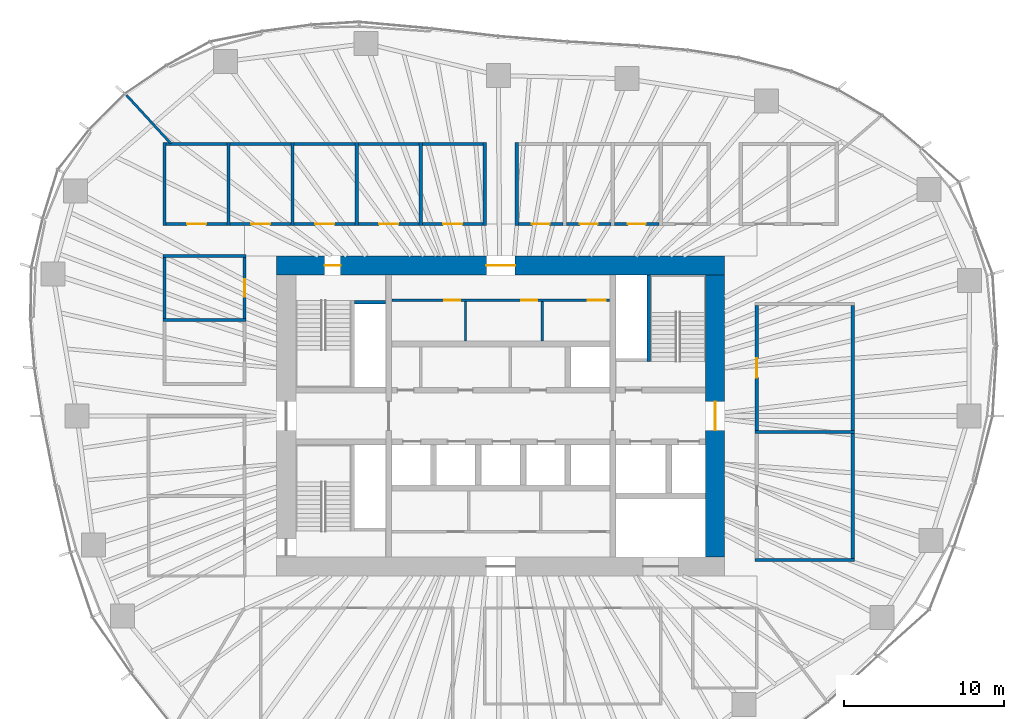
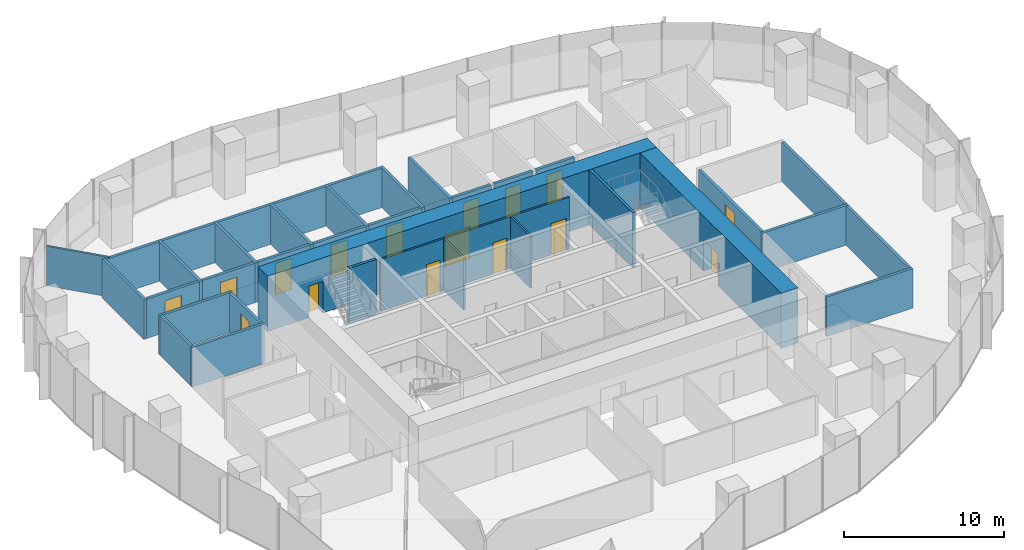
# One storey, part 10 of 18: 37 walls, 16 doors, 16 openings.
"""IFC4 building model written with IfcOpenShell, lengths in metres."""

from ifc_helpers import new_model, si_unit, direction, frame, frame_2d, origin, place, context, subcontext, project, spatial, rectangle, extrude, material, layer, layer_set, type_object, element, fill, save


model = new_model("IFC4")

# Units and contexts
model_context = context("Model", 3, precision=1e-05, world=origin(), true_north=direction((0.0, 1.0)))
body_context = subcontext(model_context, "Body", "Model", "MODEL_VIEW")
ifc_project = project(units=[si_unit("LENGTHUNIT", "METRE"), si_unit("AREAUNIT", "SQUARE_METRE"), si_unit("VOLUMEUNIT", "CUBIC_METRE"), si_unit("PLANEANGLEUNIT", "RADIAN"), si_unit("MASSUNIT", "GRAM", prefix="KILO")], contexts=[model_context])

# Site, building, storey
site_placement = place(None, origin())
site = spatial("IfcSite", under=ifc_project, at=site_placement, CompositionType="ELEMENT")
building_placement = place(site_placement, origin())
building = spatial("IfcBuilding", under=site, at=building_placement, Name="Ghaith Harvest Tower", CompositionType="ELEMENT")
storey_placement = place(building_placement, frame((0.0, 0.0, 138.60009765625)))
storey = spatial("IfcBuildingStorey", under=building, at=storey_placement, Name="L29", CompositionType="ELEMENT", Elevation=138.60009765625)

# Walls
ifc_material_1 = material(Name="Twin-stud gypsum board, acoustic", Category="gypsum")
ifc_layer_1 = layer(ifc_material_1, 0.199951171875)
ifc_layer_set_1 = layer_set([ifc_layer_1], Name="ACOUSTIC PARTITION 200")
wall_type_1 = type_object("IfcWallType", Name="ACOUSTIC PARTITION 200", PredefinedType="PARTITIONING", material=ifc_layer_set_1)
for number, where, z_axis, x_axis, name in (
    (1, (-21.0, 11.89990234375, 0.0), (0.0, 0.0, 1.0), (0.0, 1.0, 0.0), "Partition L29 row N3 cross wall 1"),
    (2, (-17.0, 11.89990234375, 0.0), (0.0, 0.0, 1.0), (0.0, 1.0, 0.0), "Partition L29 row N3 cross wall 2"),
    (3, (-13.0, 11.89990234375, 0.0), (0.0, 0.0, 1.0), (0.0, 1.0, 0.0), "Partition L29 row N3 cross wall 3"),
    (4, (-9.0, 11.89990234375, 0.0), (0.0, 0.0, 1.0), (0.0, 1.0, 0.0), "Partition L29 row N3 cross wall 4"),
    (5, (-5.0, 11.89990234375, 0.0), (0.0, 0.0, 1.0), (0.0, 1.0, 0.0), "Partition L29 row N3 cross wall 5"),
    (6, (-1.0, 11.89990234375, 0.0), (0.0, 0.0, 1.0), (0.0, 1.0, 0.0), "Partition L29 row N3 cross wall 6"),
):
    element("IfcWall", number, at=place(storey_placement, frame(where, z_axis=z_axis, x_axis=x_axis)), inside=storey, type_object=wall_type_1, Name=name, PredefinedType="PARTITIONING", context=body_context, shape_type="SweptSolid", body=[
        extrude(rectangle(XDim=5.2001953125, YDim=0.199951171875, at=frame_2d((2.60009765625, 0.0))), origin(), (0.0, 0.0, 1.0), 3.0),
    ])

# Wall, opening, door
wall_1_placement = place(storey_placement, frame((-20.89990234375, 12.0, 0.0), z_axis=(0.0, 0.0, 1.0), x_axis=(1.0, 0.0, 0.0)))
wall_1 = element("IfcWall", 7, at=wall_1_placement, inside=storey, type_object=wall_type_1, Name="Partition L29-04", PredefinedType="PARTITIONING", context=body_context, shape_type="SweptSolid", body=[
    extrude(rectangle(XDim=3.7998046875, YDim=0.199951171875, at=frame_2d((1.89990234375, 0.0))), origin(), (0.0, 0.0, 1.0), 3.0),
])
opening_1_placement = place(wall_1_placement, frame((1.300048828125, 0.0, 0.0)))
opening_1 = element("IfcOpeningElement", 8, at=opening_1_placement, cuts=wall_1, Name="Opening 29-029", PredefinedType="OPENING", context=body_context, shape_type="SweptSolid", body=[
    extrude(rectangle(XDim=1.199951171875, YDim=2.39990234375, at=frame_2d((0.60009765625, 1.199951171875))), frame((0.0, 0.10986328125, 0.0), z_axis=(0.0, -1.0, 0.0), x_axis=(1.0, 0.0, 0.0)), (0.0, 0.0, 1.0), 0.219970703125),
])
ifc_material_2 = material(Name="Timber door", Category="wood")
door_type_1 = type_object("IfcDoorType", Name="D11 GLAZED 1200x2400", OperationType="SINGLE_SWING_LEFT", PredefinedType="DOOR", material=ifc_material_2)
door_1_placement = place(opening_1_placement, origin())
door_1 = element("IfcDoor", 9, at=door_1_placement, inside=storey, type_object=door_type_1, Name="Meeting room door", OperationType="SINGLE_SWING_LEFT", OverallHeight=2.39990234375, OverallWidth=1.199951171875, PredefinedType="DOOR", context=body_context, shape_type="SweptSolid", body=[
    extrude(rectangle(XDim=1.199951171875, YDim=2.39990234375, at=frame_2d((0.60009765625, 1.199951171875))), frame((0.0, 0.02490234375, 0.0), z_axis=(0.0, -1.0, 0.0), x_axis=(1.0, 0.0, 0.0)), (0.0, 0.0, 1.0), 0.050048828125),
])
fill(opening_1, door_1)

# Wall
wall_2_placement = place(storey_placement, frame((-20.89990234375, 17.0, 0.0), z_axis=(0.0, 0.0, 1.0), x_axis=(1.0, 0.0, 0.0)))
element("IfcWall", 10, at=wall_2_placement, inside=storey, type_object=wall_type_1, Name="Partition L29-04", PredefinedType="PARTITIONING", context=body_context, shape_type="SweptSolid", body=[
    extrude(rectangle(XDim=3.7998046875, YDim=0.199951171875, at=frame_2d((1.89990234375, 0.0))), origin(), (0.0, 0.0, 1.0), 3.0),
])

# Wall, opening, door
wall_3_placement = place(storey_placement, frame((-16.89990234375, 12.0, 0.0), z_axis=(0.0, 0.0, 1.0), x_axis=(1.0, 0.0, 0.0)))
wall_3 = element("IfcWall", 11, at=wall_3_placement, inside=storey, type_object=wall_type_1, Name="Partition L29-05", PredefinedType="PARTITIONING", context=body_context, shape_type="SweptSolid", body=[
    extrude(rectangle(XDim=3.7998046875, YDim=0.199951171875, at=frame_2d((1.89990234375, 0.0))), origin(), (0.0, 0.0, 1.0), 3.0),
])
opening_2_placement = place(wall_3_placement, frame((1.300048828125, 0.0, 0.0)))
opening_2 = element("IfcOpeningElement", 12, at=opening_2_placement, cuts=wall_3, Name="Opening 29-030", PredefinedType="OPENING", context=body_context, shape_type="SweptSolid", body=[
    extrude(rectangle(XDim=1.199951171875, YDim=2.39990234375, at=frame_2d((0.60009765625, 1.199951171875))), frame((0.0, 0.10986328125, 0.0), z_axis=(0.0, -1.0, 0.0), x_axis=(1.0, 0.0, 0.0)), (0.0, 0.0, 1.0), 0.219970703125),
])
door_2_placement = place(opening_2_placement, origin())
door_2 = element("IfcDoor", 13, at=door_2_placement, inside=storey, type_object=door_type_1, Name="Meeting room door", OperationType="SINGLE_SWING_LEFT", OverallHeight=2.39990234375, OverallWidth=1.199951171875, PredefinedType="DOOR", context=body_context, shape_type="SweptSolid", body=[
    extrude(rectangle(XDim=1.199951171875, YDim=2.39990234375, at=frame_2d((0.60009765625, 1.199951171875))), frame((0.0, 0.02490234375, 0.0), z_axis=(0.0, -1.0, 0.0), x_axis=(1.0, 0.0, 0.0)), (0.0, 0.0, 1.0), 0.050048828125),
])
fill(opening_2, door_2)

# Wall
wall_4_placement = place(storey_placement, frame((-16.89990234375, 17.0, 0.0), z_axis=(0.0, 0.0, 1.0), x_axis=(1.0, 0.0, 0.0)))
element("IfcWall", 14, at=wall_4_placement, inside=storey, type_object=wall_type_1, Name="Partition L29-05", PredefinedType="PARTITIONING", context=body_context, shape_type="SweptSolid", body=[
    extrude(rectangle(XDim=3.7998046875, YDim=0.199951171875, at=frame_2d((1.89990234375, 0.0))), origin(), (0.0, 0.0, 1.0), 3.0),
])

# Wall, opening, door
wall_5_placement = place(storey_placement, frame((-12.89990234375, 12.0, 0.0), z_axis=(0.0, 0.0, 1.0), x_axis=(1.0, 0.0, 0.0)))
wall_5 = element("IfcWall", 15, at=wall_5_placement, inside=storey, type_object=wall_type_1, Name="Partition L29-06", PredefinedType="PARTITIONING", context=body_context, shape_type="SweptSolid", body=[
    extrude(rectangle(XDim=3.7998046875, YDim=0.199951171875, at=frame_2d((1.89990234375, 0.0))), origin(), (0.0, 0.0, 1.0), 3.0),
])
opening_3_placement = place(wall_5_placement, frame((1.300048828125, 0.0, 0.0)))
opening_3 = element("IfcOpeningElement", 16, at=opening_3_placement, cuts=wall_5, Name="Opening 29-031", PredefinedType="OPENING", context=body_context, shape_type="SweptSolid", body=[
    extrude(rectangle(XDim=1.199951171875, YDim=2.39990234375, at=frame_2d((0.60009765625, 1.199951171875))), frame((0.0, 0.10986328125, 0.0), z_axis=(0.0, -1.0, 0.0), x_axis=(1.0, 0.0, 0.0)), (0.0, 0.0, 1.0), 0.219970703125),
])
door_3_placement = place(opening_3_placement, origin())
door_3 = element("IfcDoor", 17, at=door_3_placement, inside=storey, type_object=door_type_1, Name="Meeting room door", OperationType="SINGLE_SWING_LEFT", OverallHeight=2.39990234375, OverallWidth=1.199951171875, PredefinedType="DOOR", context=body_context, shape_type="SweptSolid", body=[
    extrude(rectangle(XDim=1.199951171875, YDim=2.39990234375, at=frame_2d((0.60009765625, 1.199951171875))), frame((0.0, 0.02490234375, 0.0), z_axis=(0.0, -1.0, 0.0), x_axis=(1.0, 0.0, 0.0)), (0.0, 0.0, 1.0), 0.050048828125),
])
fill(opening_3, door_3)

# Wall
wall_6_placement = place(storey_placement, frame((-12.89990234375, 17.0, 0.0), z_axis=(0.0, 0.0, 1.0), x_axis=(1.0, 0.0, 0.0)))
element("IfcWall", 18, at=wall_6_placement, inside=storey, type_object=wall_type_1, Name="Partition L29-06", PredefinedType="PARTITIONING", context=body_context, shape_type="SweptSolid", body=[
    extrude(rectangle(XDim=3.7998046875, YDim=0.199951171875, at=frame_2d((1.89990234375, 0.0))), origin(), (0.0, 0.0, 1.0), 3.0),
])

# Wall, opening, door
wall_7_placement = place(storey_placement, frame((-8.89990234375, 12.0, 0.0), z_axis=(0.0, 0.0, 1.0), x_axis=(1.0, 0.0, 0.0)))
wall_7 = element("IfcWall", 19, at=wall_7_placement, inside=storey, type_object=wall_type_1, Name="Partition L29-07", PredefinedType="PARTITIONING", context=body_context, shape_type="SweptSolid", body=[
    extrude(rectangle(XDim=3.7998046875, YDim=0.199951171875, at=frame_2d((1.89990234375, 0.0))), origin(), (0.0, 0.0, 1.0), 3.0),
])
opening_4_placement = place(wall_7_placement, frame((1.300048828125, 0.0, 0.0)))
opening_4 = element("IfcOpeningElement", 20, at=opening_4_placement, cuts=wall_7, Name="Opening 29-032", PredefinedType="OPENING", context=body_context, shape_type="SweptSolid", body=[
    extrude(rectangle(XDim=1.199951171875, YDim=2.39990234375, at=frame_2d((0.60009765625, 1.199951171875))), frame((0.0, 0.10986328125, 0.0), z_axis=(0.0, -1.0, 0.0), x_axis=(1.0, 0.0, 0.0)), (0.0, 0.0, 1.0), 0.219970703125),
])
door_4_placement = place(opening_4_placement, origin())
door_4 = element("IfcDoor", 21, at=door_4_placement, inside=storey, type_object=door_type_1, Name="Meeting room door", OperationType="SINGLE_SWING_LEFT", OverallHeight=2.39990234375, OverallWidth=1.199951171875, PredefinedType="DOOR", context=body_context, shape_type="SweptSolid", body=[
    extrude(rectangle(XDim=1.199951171875, YDim=2.39990234375, at=frame_2d((0.60009765625, 1.199951171875))), frame((0.0, 0.02490234375, 0.0), z_axis=(0.0, -1.0, 0.0), x_axis=(1.0, 0.0, 0.0)), (0.0, 0.0, 1.0), 0.050048828125),
])
fill(opening_4, door_4)

# Wall
wall_8_placement = place(storey_placement, frame((-8.89990234375, 17.0, 0.0), z_axis=(0.0, 0.0, 1.0), x_axis=(1.0, 0.0, 0.0)))
element("IfcWall", 22, at=wall_8_placement, inside=storey, type_object=wall_type_1, Name="Partition L29-07", PredefinedType="PARTITIONING", context=body_context, shape_type="SweptSolid", body=[
    extrude(rectangle(XDim=3.7998046875, YDim=0.199951171875, at=frame_2d((1.89990234375, 0.0))), origin(), (0.0, 0.0, 1.0), 3.0),
])

# Wall, opening, door
wall_9_placement = place(storey_placement, frame((-4.89990234375, 12.0, 0.0), z_axis=(0.0, 0.0, 1.0), x_axis=(1.0, 0.0, 0.0)))
wall_9 = element("IfcWall", 23, at=wall_9_placement, inside=storey, type_object=wall_type_1, Name="Partition L29-08", PredefinedType="PARTITIONING", context=body_context, shape_type="SweptSolid", body=[
    extrude(rectangle(XDim=3.7998046875, YDim=0.199951171875, at=frame_2d((1.89990234375, 0.0))), origin(), (0.0, 0.0, 1.0), 3.0),
])
opening_5_placement = place(wall_9_placement, frame((1.300048828125, 0.0, 0.0)))
opening_5 = element("IfcOpeningElement", 24, at=opening_5_placement, cuts=wall_9, Name="Opening 29-033", PredefinedType="OPENING", context=body_context, shape_type="SweptSolid", body=[
    extrude(rectangle(XDim=1.199951171875, YDim=2.39990234375, at=frame_2d((0.60009765625, 1.199951171875))), frame((0.0, 0.10986328125, 0.0), z_axis=(0.0, -1.0, 0.0), x_axis=(1.0, 0.0, 0.0)), (0.0, 0.0, 1.0), 0.219970703125),
])
door_5_placement = place(opening_5_placement, origin())
door_5 = element("IfcDoor", 25, at=door_5_placement, inside=storey, type_object=door_type_1, Name="Meeting room door", OperationType="SINGLE_SWING_LEFT", OverallHeight=2.39990234375, OverallWidth=1.199951171875, PredefinedType="DOOR", context=body_context, shape_type="SweptSolid", body=[
    extrude(rectangle(XDim=1.199951171875, YDim=2.39990234375, at=frame_2d((0.60009765625, 1.199951171875))), frame((0.0, 0.02490234375, 0.0), z_axis=(0.0, -1.0, 0.0), x_axis=(1.0, 0.0, 0.0)), (0.0, 0.0, 1.0), 0.050048828125),
])
fill(opening_5, door_5)

# Walls
wall_10_placement = place(storey_placement, frame((-4.89990234375, 17.0, 0.0), z_axis=(0.0, 0.0, 1.0), x_axis=(1.0, 0.0, 0.0)))
element("IfcWall", 26, at=wall_10_placement, inside=storey, type_object=wall_type_1, Name="Partition L29-08", PredefinedType="PARTITIONING", context=body_context, shape_type="SweptSolid", body=[
    extrude(rectangle(XDim=3.7998046875, YDim=0.199951171875, at=frame_2d((1.89990234375, 0.0))), origin(), (0.0, 0.0, 1.0), 3.0),
])
wall_11_placement = place(storey_placement, frame((1.0, 11.89990234375, 0.0), z_axis=(0.0, 0.0, 1.0), x_axis=(0.0, 1.0, 0.0)))
element("IfcWall", 27, at=wall_11_placement, inside=storey, type_object=wall_type_1, Name="Partition L29 row N4 cross wall 1", PredefinedType="PARTITIONING", context=body_context, shape_type="SweptSolid", body=[
    extrude(rectangle(XDim=5.2001953125, YDim=0.199951171875, at=frame_2d((2.60009765625, 0.0))), origin(), (0.0, 0.0, 1.0), 3.0),
])

# Wall, opening, door
wall_12_placement = place(storey_placement, frame((1.10009765625, 12.0, 0.0), z_axis=(0.0, 0.0, 1.0), x_axis=(1.0, 0.0, 0.0)))
wall_12 = element("IfcWall", 28, at=wall_12_placement, inside=storey, type_object=wall_type_1, Name="Partition L29-09", PredefinedType="PARTITIONING", context=body_context, shape_type="SweptSolid", body=[
    extrude(rectangle(XDim=2.7998046875, YDim=0.199951171875, at=frame_2d((1.39990234375, 0.0))), origin(), (0.0, 0.0, 1.0), 3.0),
])
opening_6_placement = place(wall_12_placement, frame((0.85009765625, 0.0, 0.0)))
opening_6 = element("IfcOpeningElement", 29, at=opening_6_placement, cuts=wall_12, Name="Opening 29-034", PredefinedType="OPENING", context=body_context, shape_type="SweptSolid", body=[
    extrude(rectangle(XDim=1.10009765625, YDim=2.300048828125, at=frame_2d((0.550048828125, 1.14990234375))), frame((0.0, 0.10986328125, 0.0), z_axis=(0.0, -1.0, 0.0), x_axis=(1.0, 0.0, 0.0)), (0.0, 0.0, 1.0), 0.219970703125),
])
ifc_material_3 = material(Name="Timber-framed glazed door", Category="wood")
door_type_2 = type_object("IfcDoorType", Name="D12 GLAZED OFFICE 1100x2300", OperationType="SINGLE_SWING_LEFT", PredefinedType="DOOR", material=ifc_material_3)
door_6_placement = place(opening_6_placement, origin())
door_6 = element("IfcDoor", 30, at=door_6_placement, inside=storey, type_object=door_type_2, Name="Focus room door", OperationType="SINGLE_SWING_LEFT", OverallHeight=2.300048828125, OverallWidth=1.10009765625, PredefinedType="DOOR", context=body_context, shape_type="SweptSolid", body=[
    extrude(rectangle(XDim=1.10009765625, YDim=2.300048828125, at=frame_2d((0.550048828125, 1.14990234375))), frame((0.0, 0.02490234375, 0.0), z_axis=(0.0, -1.0, 0.0), x_axis=(1.0, 0.0, 0.0)), (0.0, 0.0, 1.0), 0.050048828125),
])
fill(opening_6, door_6)

wall_13_placement = place(storey_placement, frame((4.10009765625, 12.0, 0.0), z_axis=(0.0, 0.0, 1.0), x_axis=(1.0, 0.0, 0.0)))
wall_13 = element("IfcWall", 31, at=wall_13_placement, inside=storey, type_object=wall_type_1, Name="Partition L29-10", PredefinedType="PARTITIONING", context=body_context, shape_type="SweptSolid", body=[
    extrude(rectangle(XDim=2.7998046875, YDim=0.199951171875, at=frame_2d((1.39990234375, 0.0))), origin(), (0.0, 0.0, 1.0), 3.0),
])
opening_7_placement = place(wall_13_placement, frame((0.85009765625, 0.0, 0.0)))
opening_7 = element("IfcOpeningElement", 32, at=opening_7_placement, cuts=wall_13, Name="Opening 29-035", PredefinedType="OPENING", context=body_context, shape_type="SweptSolid", body=[
    extrude(rectangle(XDim=1.10009765625, YDim=2.300048828125, at=frame_2d((0.550048828125, 1.14990234375))), frame((0.0, 0.10986328125, 0.0), z_axis=(0.0, -1.0, 0.0), x_axis=(1.0, 0.0, 0.0)), (0.0, 0.0, 1.0), 0.219970703125),
])
door_7_placement = place(opening_7_placement, origin())
door_7 = element("IfcDoor", 33, at=door_7_placement, inside=storey, type_object=door_type_2, Name="Focus room door", OperationType="SINGLE_SWING_LEFT", OverallHeight=2.300048828125, OverallWidth=1.10009765625, PredefinedType="DOOR", context=body_context, shape_type="SweptSolid", body=[
    extrude(rectangle(XDim=1.10009765625, YDim=2.300048828125, at=frame_2d((0.550048828125, 1.14990234375))), frame((0.0, 0.02490234375, 0.0), z_axis=(0.0, -1.0, 0.0), x_axis=(1.0, 0.0, 0.0)), (0.0, 0.0, 1.0), 0.050048828125),
])
fill(opening_7, door_7)

wall_14_placement = place(storey_placement, frame((7.10009765625, 12.0, 0.0), z_axis=(0.0, 0.0, 1.0), x_axis=(1.0, 0.0, 0.0)))
wall_14 = element("IfcWall", 34, at=wall_14_placement, inside=storey, type_object=wall_type_1, Name="Partition L29-11", PredefinedType="PARTITIONING", context=body_context, shape_type="SweptSolid", body=[
    extrude(rectangle(XDim=2.7998046875, YDim=0.199951171875, at=frame_2d((1.39990234375, 0.0))), origin(), (0.0, 0.0, 1.0), 3.0),
])
opening_8_placement = place(wall_14_placement, frame((0.85009765625, 0.0, 0.0)))
opening_8 = element("IfcOpeningElement", 35, at=opening_8_placement, cuts=wall_14, Name="Opening 29-036", PredefinedType="OPENING", context=body_context, shape_type="SweptSolid", body=[
    extrude(rectangle(XDim=1.10009765625, YDim=2.300048828125, at=frame_2d((0.550048828125, 1.14990234375))), frame((0.0, 0.10986328125, 0.0), z_axis=(0.0, -1.0, 0.0), x_axis=(1.0, 0.0, 0.0)), (0.0, 0.0, 1.0), 0.219970703125),
])
door_8_placement = place(opening_8_placement, origin())
door_8 = element("IfcDoor", 36, at=door_8_placement, inside=storey, type_object=door_type_2, Name="Focus room door", OperationType="SINGLE_SWING_LEFT", OverallHeight=2.300048828125, OverallWidth=1.10009765625, PredefinedType="DOOR", context=body_context, shape_type="SweptSolid", body=[
    extrude(rectangle(XDim=1.10009765625, YDim=2.300048828125, at=frame_2d((0.550048828125, 1.14990234375))), frame((0.0, 0.02490234375, 0.0), z_axis=(0.0, -1.0, 0.0), x_axis=(1.0, 0.0, 0.0)), (0.0, 0.0, 1.0), 0.050048828125),
])
fill(opening_8, door_8)

# Walls
for number, where, z_axis, x_axis, name in (
    (37, (15.89990234375, -9.0, 0.0), (0.0, 0.0, 1.0), (1.0, 0.0, 0.0), "Partition L29 row E5 cross wall 1"),
    (38, (15.89990234375, -1.0, 0.0), (0.0, 0.0, 1.0), (1.0, 0.0, 0.0), "Partition L29 row E5 cross wall 2"),
):
    element("IfcWall", number, at=place(storey_placement, frame(where, z_axis=z_axis, x_axis=x_axis)), inside=storey, type_object=wall_type_1, Name=name, PredefinedType="PARTITIONING", context=body_context, shape_type="SweptSolid", body=[
        extrude(rectangle(XDim=6.2001953125, YDim=0.199951171875, at=frame_2d((3.10009765625, 0.0))), origin(), (0.0, 0.0, 1.0), 3.0),
    ])
wall_15_placement = place(storey_placement, frame((22.0, -8.89990234375, 0.0), z_axis=(0.0, 0.0, 1.0), x_axis=(0.0, 1.0, 0.0)))
element("IfcWall", 39, at=wall_15_placement, inside=storey, type_object=wall_type_1, Name="Partition L29-13", PredefinedType="PARTITIONING", context=body_context, shape_type="SweptSolid", body=[
    extrude(rectangle(XDim=7.7998046875, YDim=0.199951171875, at=frame_2d((3.89990234375, 0.0))), origin(), (0.0, 0.0, 1.0), 3.0),
])

# Wall, opening, door
wall_16_placement = place(storey_placement, frame((16.0, -0.89990234375, 0.0), z_axis=(0.0, 0.0, 1.0), x_axis=(0.0, 1.0, 0.0)))
wall_16 = element("IfcWall", 40, at=wall_16_placement, inside=storey, type_object=wall_type_1, Name="Partition L29-14", PredefinedType="PARTITIONING", context=body_context, shape_type="SweptSolid", body=[
    extrude(rectangle(XDim=7.7998046875, YDim=0.199951171875, at=frame_2d((3.89990234375, 0.0))), origin(), (0.0, 0.0, 1.0), 3.0),
])
opening_9_placement = place(wall_16_placement, frame((3.300048828125, 0.0, 0.0)))
opening_9 = element("IfcOpeningElement", 41, at=opening_9_placement, cuts=wall_16, Name="Opening 29-039", PredefinedType="OPENING", context=body_context, shape_type="SweptSolid", body=[
    extrude(rectangle(XDim=1.199951171875, YDim=2.39990234375, at=frame_2d((0.60009765625, 1.199951171875))), frame((0.0, 0.10986328125, 0.0), z_axis=(0.0, -1.0, 0.0), x_axis=(1.0, 0.0, 0.0)), (0.0, 0.0, 1.0), 0.219970703125),
])
door_9_placement = place(opening_9_placement, origin())
door_9 = element("IfcDoor", 42, at=door_9_placement, inside=storey, type_object=door_type_1, Name="Meeting room door", OperationType="SINGLE_SWING_LEFT", OverallHeight=2.39990234375, OverallWidth=1.199951171875, PredefinedType="DOOR", context=body_context, shape_type="SweptSolid", body=[
    extrude(rectangle(XDim=1.199951171875, YDim=2.39990234375, at=frame_2d((0.60009765625, 1.199951171875))), frame((0.0, 0.02490234375, 0.0), z_axis=(0.0, -1.0, 0.0), x_axis=(1.0, 0.0, 0.0)), (0.0, 0.0, 1.0), 0.050048828125),
])
fill(opening_9, door_9)

# Walls
wall_17_placement = place(storey_placement, frame((22.0, -0.89990234375, 0.0), z_axis=(0.0, 0.0, 1.0), x_axis=(0.0, 1.0, 0.0)))
element("IfcWall", 43, at=wall_17_placement, inside=storey, type_object=wall_type_1, Name="Partition L29-14", PredefinedType="PARTITIONING", context=body_context, shape_type="SweptSolid", body=[
    extrude(rectangle(XDim=7.7998046875, YDim=0.199951171875, at=frame_2d((3.89990234375, 0.0))), origin(), (0.0, 0.0, 1.0), 3.0),
])
for number, where, z_axis, x_axis, name in (
    (44, (-15.89990234375, 6.0, 0.0), (0.0, 0.0, 1.0), (-1.0, 0.0, 0.0), "Partition L29 row W9 cross wall 2"),
    (45, (-15.89990234375, 10.0, 0.0), (0.0, 0.0, 1.0), (-1.0, 0.0, 0.0), "Partition L29 row W9 cross wall 3"),
):
    element("IfcWall", number, at=place(storey_placement, frame(where, z_axis=z_axis, x_axis=x_axis)), inside=storey, type_object=wall_type_1, Name=name, PredefinedType="PARTITIONING", context=body_context, shape_type="SweptSolid", body=[
        extrude(rectangle(XDim=5.2001953125, YDim=0.199951171875, at=frame_2d((2.60009765625, 0.0))), origin(), (0.0, 0.0, 1.0), 3.0),
    ])

# Wall, opening, door
wall_18_placement = place(storey_placement, frame((-16.0, 6.10009765625, 0.0), z_axis=(0.0, 0.0, 1.0), x_axis=(0.0, 1.0, 0.0)))
wall_18 = element("IfcWall", 46, at=wall_18_placement, inside=storey, type_object=wall_type_1, Name="Partition L29-21", PredefinedType="PARTITIONING", context=body_context, shape_type="SweptSolid", body=[
    extrude(rectangle(XDim=3.7998046875, YDim=0.199951171875, at=frame_2d((1.89990234375, 0.0))), origin(), (0.0, 0.0, 1.0), 3.0),
])
opening_10_placement = place(wall_18_placement, frame((1.35009765625, 0.0, 0.0)))
opening_10 = element("IfcOpeningElement", 47, at=opening_10_placement, cuts=wall_18, Name="Opening 29-046", PredefinedType="OPENING", context=body_context, shape_type="SweptSolid", body=[
    extrude(rectangle(XDim=1.10009765625, YDim=2.300048828125, at=frame_2d((0.550048828125, 1.14990234375))), frame((0.0, 0.10986328125, 0.0), z_axis=(0.0, -1.0, 0.0), x_axis=(1.0, 0.0, 0.0)), (0.0, 0.0, 1.0), 0.219970703125),
])
door_10_placement = place(opening_10_placement, origin())
door_10 = element("IfcDoor", 48, at=door_10_placement, inside=storey, type_object=door_type_2, Name="Quiet room door", OperationType="SINGLE_SWING_LEFT", OverallHeight=2.300048828125, OverallWidth=1.10009765625, PredefinedType="DOOR", context=body_context, shape_type="SweptSolid", body=[
    extrude(rectangle(XDim=1.10009765625, YDim=2.300048828125, at=frame_2d((0.550048828125, 1.14990234375))), frame((0.0, 0.02490234375, 0.0), z_axis=(0.0, -1.0, 0.0), x_axis=(1.0, 0.0, 0.0)), (0.0, 0.0, 1.0), 0.050048828125),
])
fill(opening_10, door_10)

# Wall
wall_19_placement = place(storey_placement, frame((-21.0, 6.10009765625, 0.0), z_axis=(0.0, 0.0, 1.0), x_axis=(0.0, 1.0, 0.0)))
element("IfcWall", 49, at=wall_19_placement, inside=storey, type_object=wall_type_1, Name="Partition L29-21", PredefinedType="PARTITIONING", context=body_context, shape_type="SweptSolid", body=[
    extrude(rectangle(XDim=3.7998046875, YDim=0.199951171875, at=frame_2d((1.89990234375, 0.0))), origin(), (0.0, 0.0, 1.0), 3.0),
])

# Wall, openings, doors
ifc_material_4 = material(Name="Concrete blockwork, fair-faced", Category="masonry")
ifc_layer_2 = layer(ifc_material_4, 0.139892578125)
ifc_layer_set_2 = layer_set([ifc_layer_2], Name="CORE PARTITION 140")
wall_type_2 = type_object("IfcWallType", Name="CORE PARTITION 140", PredefinedType="PARTITIONING", material=ifc_layer_set_2)
wall_20_placement = place(storey_placement, frame((-6.800048828125, 7.22998046875, 0.0), z_axis=(0.0, 0.0, 1.0), x_axis=(1.0, 0.0, 0.0)))
wall_20 = element("IfcWall", 50, at=wall_20_placement, inside=storey, type_object=wall_type_2, Name="Core partition L29", PredefinedType="PARTITIONING", context=body_context, shape_type="SweptSolid", body=[
    extrude(rectangle(XDim=13.60009765625, YDim=0.139892578125, at=frame_2d((6.800048828125, 0.0))), origin(), (0.0, 0.0, 1.0), 3.949951171875),
])
opening_11_placement = place(wall_20_placement, frame((3.280029296875, 0.0, 0.0)))
opening_11 = element("IfcOpeningElement", 51, at=opening_11_placement, cuts=wall_20, Name="Opening 29-008", PredefinedType="OPENING", context=body_context, shape_type="SweptSolid", body=[
    extrude(rectangle(XDim=1.0, YDim=2.39990234375, at=frame_2d((0.5, 1.199951171875))), frame((0.0, 0.080078125, 0.0), z_axis=(0.0, -1.0, 0.0), x_axis=(1.0, 0.0, 0.0)), (0.0, 0.0, 1.0), 0.159912109375),
])
opening_12_placement = place(wall_20_placement, frame((8.080078125, 0.0, 0.0)))
opening_12 = element("IfcOpeningElement", 52, at=opening_12_placement, cuts=wall_20, Name="Opening 29-009", PredefinedType="OPENING", context=body_context, shape_type="SweptSolid", body=[
    extrude(rectangle(XDim=1.0, YDim=2.39990234375, at=frame_2d((0.5, 1.199951171875))), frame((0.0, 0.080078125, 0.0), z_axis=(0.0, -1.0, 0.0), x_axis=(1.0, 0.0, 0.0)), (0.0, 0.0, 1.0), 0.159912109375),
])
opening_13_placement = place(wall_20_placement, frame((12.25, 0.0, 0.0)))
opening_13 = element("IfcOpeningElement", 53, at=opening_13_placement, cuts=wall_20, Name="Opening 29-010", PredefinedType="OPENING", context=body_context, shape_type="SweptSolid", body=[
    extrude(rectangle(XDim=1.10009765625, YDim=2.39990234375, at=frame_2d((0.550048828125, 1.199951171875))), frame((0.0, 0.080078125, 0.0), z_axis=(0.0, -1.0, 0.0), x_axis=(1.0, 0.0, 0.0)), (0.0, 0.0, 1.0), 0.159912109375),
])
ifc_material_5 = material(Name="Steel fire door", Category="steel")
door_type_3 = type_object("IfcDoorType", Name="D3 FD90 1000x2400", OperationType="SINGLE_SWING_LEFT", PredefinedType="DOOR", material=ifc_material_5)
door_11_placement = place(opening_11_placement, origin())
door_11 = element("IfcDoor", 54, at=door_11_placement, inside=storey, type_object=door_type_3, Name="Female WC door", OperationType="SINGLE_SWING_LEFT", OverallHeight=2.39990234375, OverallWidth=1.0, PredefinedType="DOOR", context=body_context, shape_type="SweptSolid", body=[
    extrude(rectangle(XDim=1.0, YDim=2.39990234375, at=frame_2d((0.5, 1.199951171875))), frame((0.0, 0.02490234375, 0.0), z_axis=(0.0, -1.0, 0.0), x_axis=(1.0, 0.0, 0.0)), (0.0, 0.0, 1.0), 0.050048828125),
])
fill(opening_11, door_11)
door_12_placement = place(opening_12_placement, origin())
door_12 = element("IfcDoor", 55, at=door_12_placement, inside=storey, type_object=door_type_3, Name="Male WC door", OperationType="SINGLE_SWING_RIGHT", OverallHeight=2.39990234375, OverallWidth=1.0, PredefinedType="DOOR", context=body_context, shape_type="SweptSolid", body=[
    extrude(rectangle(XDim=1.0, YDim=2.39990234375, at=frame_2d((0.5, 1.199951171875))), frame((0.0, 0.02490234375, 0.0), z_axis=(0.0, -1.0, 0.0), x_axis=(1.0, 0.0, 0.0)), (0.0, 0.0, 1.0), 0.050048828125),
])
fill(opening_12, door_12)
ifc_material_6 = material(Name="Steel fire door", Category="steel")
door_type_4 = type_object("IfcDoorType", Name="D9 FD90 1100x2400", OperationType="SINGLE_SWING_LEFT", PredefinedType="DOOR", material=ifc_material_6)
door_13_placement = place(opening_13_placement, origin())
door_13 = element("IfcDoor", 56, at=door_13_placement, inside=storey, type_object=door_type_4, Name="Accessible WC door", OperationType="SINGLE_SWING_RIGHT", OverallHeight=2.39990234375, OverallWidth=1.10009765625, PredefinedType="DOOR", context=body_context, shape_type="SweptSolid", body=[
    extrude(rectangle(XDim=1.10009765625, YDim=2.39990234375, at=frame_2d((0.550048828125, 1.199951171875))), frame((0.0, 0.02490234375, 0.0), z_axis=(0.0, -1.0, 0.0), x_axis=(1.0, 0.0, 0.0)), (0.0, 0.0, 1.0), 0.050048828125),
])
fill(opening_13, door_13)

# Walls
for number, where, z_axis, x_axis, name in (
    (57, (-2.199951171875, 4.699951171875, 0.0), (0.0, 0.0, 1.0), (0.0, 1.0, 0.0), "Core partition L29"),
    (58, (2.60009765625, 4.699951171875, 0.0), (0.0, 0.0, 1.0), (0.0, 1.0, 0.0), "Core partition L29"),
):
    element("IfcWall", number, at=place(storey_placement, frame(where, z_axis=z_axis, x_axis=x_axis)), inside=storey, type_object=wall_type_2, Name=name, PredefinedType="PARTITIONING", context=body_context, shape_type="SweptSolid", body=[
        extrude(rectangle(XDim=2.4599609375, YDim=0.139892578125, at=frame_2d((1.22998046875, 0.0))), origin(), (0.0, 0.0, 1.0), 3.949951171875),
    ])

# Wall, openings, doors
ifc_material_7 = material(Name="Concrete C60/75", Category="concrete")
ifc_layer_3 = layer(ifc_material_7, 1.199951171875)
ifc_layer_set_3 = layer_set([ifc_layer_3], Name="CORE WALL CW1200 C60")
wall_type_3 = type_object("IfcWallType", Name="CORE WALL CW1200 C60", PredefinedType="SHEAR", material=ifc_layer_set_3)
wall_21_placement = place(storey_placement, frame((14.0, 9.39990234375, 0.0), z_axis=(0.0, 0.0, 1.0), x_axis=(-1.0, 0.0, 0.0)))
wall_21 = element("IfcWall", 59, at=wall_21_placement, inside=storey, type_object=wall_type_3, Name="Core wall N L29", PredefinedType="SHEAR", context=body_context, shape_type="SweptSolid", body=[
    extrude(rectangle(XDim=28.0, YDim=1.199951171875, at=frame_2d((14.0, 0.0))), origin(), (0.0, 0.0, 1.0), 4.199951171875),
])
opening_14_placement = place(wall_21_placement, frame((24.0, 0.0, 0.0)))
opening_14 = element("IfcOpeningElement", 60, at=opening_14_placement, cuts=wall_21, Name="Opening 29-005", PredefinedType="OPENING", context=body_context, shape_type="SweptSolid", body=[
    extrude(rectangle(XDim=1.0, YDim=2.39990234375, at=frame_2d((0.5, 1.199951171875))), frame((0.0, 0.60986328125, 0.0), z_axis=(0.0, -1.0, 0.0), x_axis=(1.0, 0.0, 0.0)), (0.0, 0.0, 1.0), 1.219970703125),
])
opening_15_placement = place(wall_21_placement, frame((13.10009765625, 0.0, 0.0)))
opening_15 = element("IfcOpeningElement", 61, at=opening_15_placement, cuts=wall_21, Name="Opening 29-017", PredefinedType="OPENING", context=body_context, shape_type="SweptSolid", body=[
    extrude(rectangle(XDim=1.800048828125, YDim=2.39990234375, at=frame_2d((0.89990234375, 1.199951171875))), frame((0.0, 0.60986328125, 0.0), z_axis=(0.0, -1.0, 0.0), x_axis=(1.0, 0.0, 0.0)), (0.0, 0.0, 1.0), 1.219970703125),
])
door_14_placement = place(opening_14_placement, origin())
door_14 = element("IfcDoor", 62, at=door_14_placement, inside=storey, type_object=door_type_3, Name="Stair ST1 door", OperationType="SINGLE_SWING_RIGHT", OverallHeight=2.39990234375, OverallWidth=1.0, PredefinedType="DOOR", context=body_context, shape_type="SweptSolid", body=[
    extrude(rectangle(XDim=1.0, YDim=2.39990234375, at=frame_2d((0.5, 1.199951171875))), frame((0.0, 0.02490234375, 0.0), z_axis=(0.0, -1.0, 0.0), x_axis=(1.0, 0.0, 0.0)), (0.0, 0.0, 1.0), 0.050048828125),
])
fill(opening_14, door_14)
ifc_material_8 = material(Name="Steel fire door", Category="steel")
door_type_5 = type_object("IfcDoorType", Name="D4 FD90 PAIR 1800x2400", OperationType="DOUBLE_DOOR_SINGLE_SWING", PredefinedType="DOOR", material=ifc_material_8)
door_15_placement = place(opening_15_placement, origin())
door_15 = element("IfcDoor", 63, at=door_15_placement, inside=storey, type_object=door_type_5, Name="Core service corridor doors", OperationType="DOUBLE_DOOR_SINGLE_SWING", OverallHeight=2.39990234375, OverallWidth=1.800048828125, PredefinedType="DOOR", context=body_context, shape_type="SweptSolid", body=[
    extrude(rectangle(XDim=1.800048828125, YDim=2.39990234375, at=frame_2d((0.89990234375, 1.199951171875))), frame((0.0, 0.02490234375, 0.0), z_axis=(0.0, -1.0, 0.0), x_axis=(1.0, 0.0, 0.0)), (0.0, 0.0, 1.0), 0.050048828125),
])
fill(opening_15, door_15)

# Wall, opening, door
wall_22_placement = place(storey_placement, frame((13.39990234375, -8.800048828125, 0.0), z_axis=(0.0, 0.0, 1.0), x_axis=(0.0, 1.0, 0.0)))
wall_22 = element("IfcWall", 64, at=wall_22_placement, inside=storey, type_object=wall_type_3, Name="Core wall E L29", PredefinedType="SHEAR", context=body_context, shape_type="SweptSolid", body=[
    extrude(rectangle(XDim=17.60009765625, YDim=1.199951171875, at=frame_2d((8.800048828125, 0.0))), origin(), (0.0, 0.0, 1.0), 4.199951171875),
])
opening_16_placement = place(wall_22_placement, frame((7.89990234375, 0.0, 0.0)))
opening_16 = element("IfcOpeningElement", 65, at=opening_16_placement, cuts=wall_22, Name="Opening 29-002", PredefinedType="OPENING", context=body_context, shape_type="SweptSolid", body=[
    extrude(rectangle(XDim=1.800048828125, YDim=2.39990234375, at=frame_2d((0.89990234375, 1.199951171875))), frame((0.0, 0.60986328125, 0.0), z_axis=(0.0, -1.0, 0.0), x_axis=(1.0, 0.0, 0.0)), (0.0, 0.0, 1.0), 1.219970703125),
])
door_16_placement = place(opening_16_placement, origin())
door_16 = element("IfcDoor", 66, at=door_16_placement, inside=storey, type_object=door_type_5, Name="Fire-fighting lobby doors", OperationType="DOUBLE_DOOR_SINGLE_SWING", OverallHeight=2.39990234375, OverallWidth=1.800048828125, PredefinedType="DOOR", context=body_context, shape_type="SweptSolid", body=[
    extrude(rectangle(XDim=1.800048828125, YDim=2.39990234375, at=frame_2d((0.89990234375, 1.199951171875))), frame((0.0, 0.02490234375, 0.0), z_axis=(0.0, -1.0, 0.0), x_axis=(1.0, 0.0, 0.0)), (0.0, 0.0, 1.0), 0.050048828125),
])
fill(opening_16, door_16)

# Walls
ifc_material_9 = material(Name="Gypsum board on steel studs", Category="steel")
ifc_layer_4 = layer(ifc_material_9, 0.14990234375)
ifc_layer_set_4 = layer_set([ifc_layer_4], Name="PARTITION 150")
wall_type_4 = type_object("IfcWallType", Name="PARTITION 150", PredefinedType="PARTITIONING", material=ifc_layer_set_4)
wall_23_placement = place(storey_placement, frame((-20.607177734375, 17.02001953125, 0.0), z_axis=(0.0, 0.0, 1.0), x_axis=(-0.676173993609, 0.736741970005, 0.0)))
element("IfcWall", 67, at=wall_23_placement, inside=storey, type_object=wall_type_4, Name="Partition L29 zone division", PredefinedType="PARTITIONING", context=body_context, shape_type="SweptSolid", body=[
    extrude(rectangle(XDim=4.107421875, YDim=0.14990234375, at=frame_2d((2.0537109375, 0.0))), origin(), (0.0, 0.0, 1.0), 3.0),
])
ifc_material_10 = material(Name="Concrete C40/50", Category="concrete")
ifc_layer_5 = layer(ifc_material_10, 0.199951171875)
ifc_layer_set_5 = layer_set([ifc_layer_5], Name="STAIR SPINE WALL RC200")
wall_type_5 = type_object("IfcWallType", Name="STAIR SPINE WALL RC200", PredefinedType="SOLIDWALL", material=ifc_layer_set_5)
wall_24_placement = place(storey_placement, frame((-9.14990234375, 7.10009765625, 0.0), z_axis=(0.0, 0.0, 1.0), x_axis=(1.0, 0.0, 0.0)))
element("IfcWall", 68, at=wall_24_placement, inside=storey, type_object=wall_type_5, Name="Stair ST1 spine wall return L29", PredefinedType="SOLIDWALL", context=body_context, shape_type="SweptSolid", body=[
    extrude(rectangle(XDim=1.949951171875, YDim=0.199951171875, at=frame_2d((0.97509765625, 0.0))), origin(), (0.0, 0.0, 1.0), 4.199951171875),
])
wall_25_placement = place(storey_placement, frame((9.25, 3.39990234375, 0.0), z_axis=(0.0, 0.0, 1.0), x_axis=(0.0, 1.0, 0.0)))
element("IfcWall", 69, at=wall_25_placement, inside=storey, type_object=wall_type_5, Name="Stair ST2 spine wall L29", PredefinedType="SOLIDWALL", context=body_context, shape_type="SweptSolid", body=[
    extrude(rectangle(XDim=5.400146484375, YDim=0.199951171875, at=frame_2d((2.7001953125, 0.0))), origin(), (0.0, 0.0, 1.0), 4.199951171875),
])

save(model, "model.ifc")
